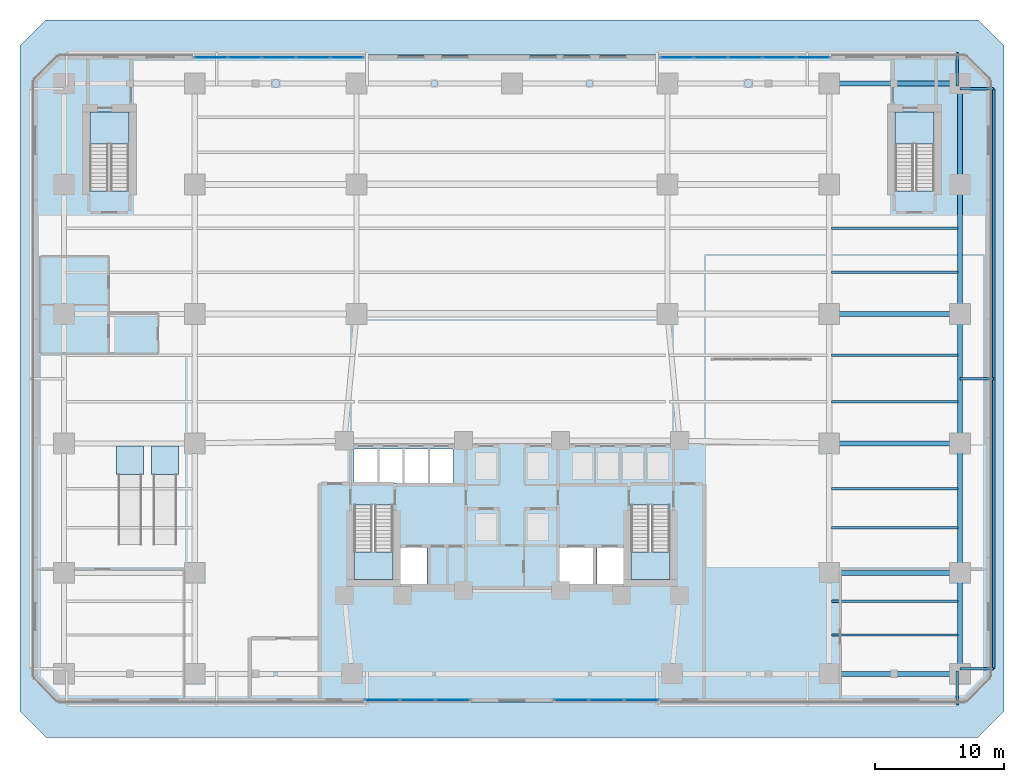
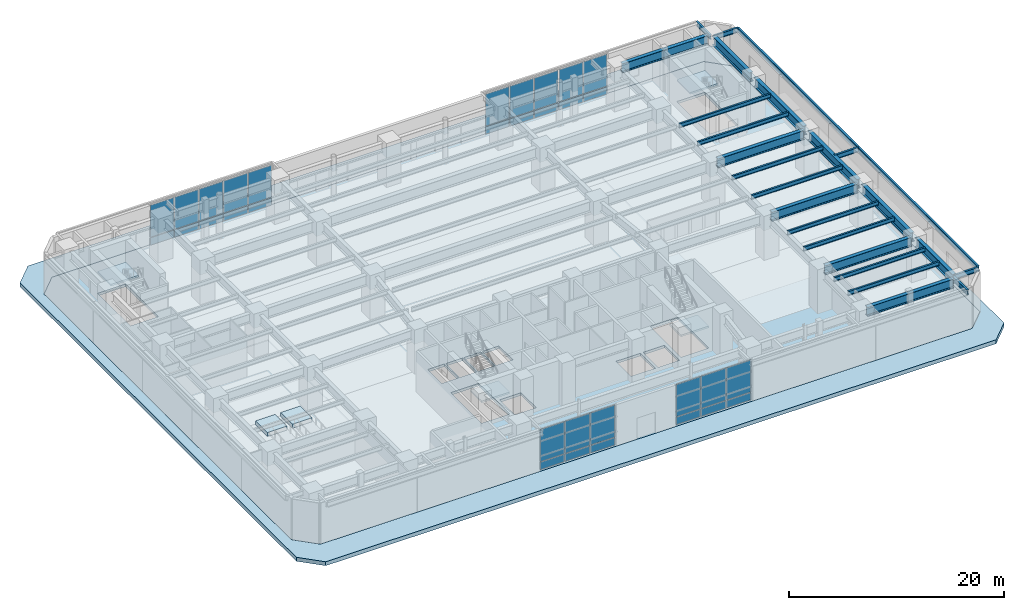
# One storey, part 12 of 26: 32 plates, 24 beams, 8 slabs, 8 elements without a shape of their own.
"""IFC4 building model written with IfcOpenShell, lengths in metres."""

from ifc_helpers import new_model, si_unit, direction, frame, origin, origin_2d, place, context, subcontext, project, spatial, polyline, rectangle, i_section, outline, extrude, material, layer, layer_set, material_profile, profile_set, type_object, element, aggregate, save


model = new_model("IFC4")

# Units and contexts
model_context = context("Model", 3, precision=1e-05, world=origin(), true_north=direction((0.0, 1.0)))
body_context = subcontext(model_context, "Body", "Model", "MODEL_VIEW")
ifc_project = project(units=[si_unit("LENGTHUNIT", "METRE"), si_unit("AREAUNIT", "SQUARE_METRE"), si_unit("VOLUMEUNIT", "CUBIC_METRE"), si_unit("PLANEANGLEUNIT", "RADIAN"), si_unit("MASSUNIT", "GRAM", prefix="KILO")], contexts=[model_context])

# Site, building, storey
site_placement = place(None, origin())
site = spatial("IfcSite", under=ifc_project, at=site_placement, CompositionType="ELEMENT")
building_placement = place(site_placement, origin())
building = spatial("IfcBuilding", under=site, at=building_placement, Name="Quenlor Broadcast Tower", CompositionType="ELEMENT")
storey_placement = place(building_placement, origin())
storey = spatial("IfcBuildingStorey", under=building, at=storey_placement, Name="L00", CompositionType="ELEMENT", Elevation=0.0)

# Beams
ifc_material_1 = material(Name="Steel S355", Category="steel")
ifc_material_profile_1 = material_profile(ifc_material_1, i_section(OverallWidth=0.208984375, OverallDepth=0.532958984375, WebThickness=0.01025390625, FlangeThickness=0.015625, FilletRadius=0.013916015625, at=origin_2d()))
ifc_profile_set_1 = profile_set([ifc_material_profile_1], Name="Steel S355 530UB92.4")
beam_type_1 = type_object("IfcBeamType", Name="Perimeter Spandrel Beam Z1 Steel S355 530UB92.4", PredefinedType="SPANDREL", material=ifc_profile_set_1)
for number, where, z_axis, x_axis, name in (
    (1, (34.39990234375, -22.5849609375, 4.43359375), (0.0, -1.0, 0.0), (1.0, 0.0, 0.0), "L00 Podium Lattice Sill Tie SE1"),
    (2, (34.39990234375, 22.5849609375, 4.43359375), (0.0, 1.0, 0.0), (-1.0, 0.0, 0.0), "L00 Podium Lattice Sill Tie NE2"),
    (3, (34.5849609375, 22.39990234375, 4.43359375), (1.0, 0.0, 0.0), (0.0, 1.0, 0.0), "L00 Podium Lattice Sill Tie E1"),
    (4, (34.5849609375, -22.39990234375, 4.43359375), (1.0, 0.0, 0.0), (0.0, 1.0, 0.0), "L00 Podium Lattice Sill Tie E2"),
    (5, (34.5849609375, 0.0, 4.43359375), (1.0, 0.0, 0.0), (0.0, 1.0, 0.0), "L00 Podium Lattice Sill Tie E3"),
):
    element("IfcBeam", number, at=place(storey_placement, frame(where, z_axis=z_axis, x_axis=x_axis)), inside=storey, type_object=beam_type_1, Name=name, PredefinedType="SPANDREL", context=body_context, shape_type="SweptSolid", body=[
        extrude(i_section(OverallWidth=0.208984375, OverallDepth=0.532958984375, WebThickness=0.01025390625, FlangeThickness=0.015625, FilletRadius=0.013916015625, at=origin_2d()), origin(), (0.0, 0.0, 1.0), 2.610107421875),
    ])
beam_1_placement = place(storey_placement, frame((37.215087890625, 22.3798828125, 4.43359375), z_axis=(0.0, -1.0, 0.0), x_axis=(1.0, 0.0, 0.0)))
element("IfcBeam", 6, at=beam_1_placement, inside=storey, type_object=beam_type_1, Name="L00 Podium Lattice Sill Girder E", PredefinedType="SPANDREL", context=body_context, shape_type="SweptSolid", body=[
    extrude(i_section(OverallWidth=0.208984375, OverallDepth=0.532958984375, WebThickness=0.01025390625, FlangeThickness=0.015625, FilletRadius=0.013916015625, at=origin_2d()), origin(), (0.0, 0.0, 1.0), 44.759765625),
])
ifc_material_2 = material(Name="Steel S355", Category="steel")
ifc_material_profile_2 = material_profile(ifc_material_2, i_section(OverallWidth=0.39990234375, OverallDepth=1.02392578125, WebThickness=0.01611328125, FlangeThickness=0.031982421875, FilletRadius=0.01611328125, at=origin_2d()))
ifc_profile_set_2 = profile_set([ifc_material_profile_2], Name="Steel S355 1000WB322")
beam_type_2 = type_object("IfcBeamType", Name="Podium Concourse Girder Steel S355 1000WB322", PredefinedType="BEAM", material=ifc_profile_set_2)
for number, where, z_axis, x_axis, name in (
    (7, (24.919921875, -22.800048828125, 4.18798828125), (1.0, 0.0, 0.0), (0.0, 1.0, 0.0), "L00 Podium Girder 9"),
    (8, (24.919921875, -15.0, 4.18798828125), (1.0, 0.0, 0.0), (0.0, 1.0, 0.0), "L00 Podium Girder 11"),
    (9, (24.919921875, -5.0, 4.18798828125), (1.0, 0.0, 0.0), (0.0, 1.0, 0.0), "L00 Podium Girder 13"),
    (10, (24.919921875, 5.0, 4.18798828125), (1.0, 0.0, 0.0), (0.0, 1.0, 0.0), "L00 Podium Girder 18"),
    (11, (24.919921875, 22.800048828125, 4.18798828125), (1.0, 0.0, 0.0), (0.0, 1.0, 0.0), "L00 Podium Girder 33"),
):
    element("IfcBeam", number, at=place(storey_placement, frame(where, z_axis=z_axis, x_axis=x_axis)), inside=storey, type_object=beam_type_2, Name=name, PredefinedType="BEAM", context=body_context, shape_type="SweptSolid", body=[
        extrude(i_section(OverallWidth=0.39990234375, OverallDepth=1.02392578125, WebThickness=0.01611328125, FlangeThickness=0.031982421875, FilletRadius=0.01611328125, at=origin_2d()), origin(), (0.0, 0.0, 1.0), 9.260009765625),
    ])
beam_2_placement = place(storey_placement, frame((34.60009765625, -22.3798828125, 4.18798828125), z_axis=(0.0, 1.0, 0.0), x_axis=(-1.0, 0.0, 0.0)))
element("IfcBeam", 12, at=beam_2_placement, inside=storey, type_object=beam_type_2, Name="L00 Podium Girder 49", PredefinedType="BEAM", context=body_context, shape_type="SweptSolid", body=[
    extrude(i_section(OverallWidth=0.39990234375, OverallDepth=1.02392578125, WebThickness=0.01611328125, FlangeThickness=0.031982421875, FilletRadius=0.01611328125, at=origin_2d()), origin(), (0.0, 0.0, 1.0), 6.9599609375),
])
for number, where, z_axis, x_axis, name in (
    (13, (34.60009765625, -14.580078125, 4.18798828125), (0.0, 1.0, 0.0), (-1.0, 0.0, 0.0), "L00 Podium Girder 50"),
    (14, (34.60009765625, -4.580078125, 4.18798828125), (0.0, 1.0, 0.0), (-1.0, 0.0, 0.0), "L00 Podium Girder 51"),
    (15, (34.60009765625, 5.419921875, 4.18798828125), (0.0, 1.0, 0.0), (-1.0, 0.0, 0.0), "L00 Podium Girder 52"),
):
    element("IfcBeam", number, at=place(storey_placement, frame(where, z_axis=z_axis, x_axis=x_axis)), inside=storey, type_object=beam_type_2, Name=name, PredefinedType="BEAM", context=body_context, shape_type="SweptSolid", body=[
        extrude(i_section(OverallWidth=0.39990234375, OverallDepth=1.02392578125, WebThickness=0.01611328125, FlangeThickness=0.031982421875, FilletRadius=0.01611328125, at=origin_2d()), origin(), (0.0, 0.0, 1.0), 9.16015625),
    ])
beam_3_placement = place(storey_placement, frame((34.60009765625, 15.419921875, 4.18798828125), z_axis=(0.0, 1.0, 0.0), x_axis=(-1.0, 0.0, 0.0)))
element("IfcBeam", 16, at=beam_3_placement, inside=storey, type_object=beam_type_2, Name="L00 Podium Girder 53", PredefinedType="BEAM", context=body_context, shape_type="SweptSolid", body=[
    extrude(i_section(OverallWidth=0.39990234375, OverallDepth=1.02392578125, WebThickness=0.01611328125, FlangeThickness=0.031982421875, FilletRadius=0.01611328125, at=origin_2d()), origin(), (0.0, 0.0, 1.0), 6.9599609375),
])
ifc_material_3 = material(Name="Steel S355", Category="steel")
ifc_material_profile_3 = material_profile(ifc_material_3, i_section(OverallWidth=0.18994140625, OverallDepth=0.453857421875, WebThickness=0.008544921875, FlangeThickness=0.0126953125, FilletRadius=0.011474609375, at=origin_2d()))
ifc_profile_set_3 = profile_set([ifc_material_profile_3], Name="Steel S355 460UB67.1")
beam_type_3 = type_object("IfcBeamType", Name="Podium Floor Joist Steel S355 460UB67.1", PredefinedType="JOIST", material=ifc_profile_set_3)
for number, where, z_axis, x_axis, name in (
    (17, (24.659912109375, 8.199951171875, 4.47314453125), (1.0, 0.0, 0.0), (0.0, 1.0, 0.0), "L00 Podium Floor Joist 5"),
    (18, (24.659912109375, 11.60009765625, 4.47314453125), (1.0, 0.0, 0.0), (0.0, 1.0, 0.0), "L00 Podium Floor Joist 10"),
    (19, (24.659912109375, -19.800048828125, 4.47314453125), (1.0, 0.0, 0.0), (0.0, 1.0, 0.0), "L00 Podium Floor Joist 22"),
    (20, (24.659912109375, -17.199951171875, 4.47314453125), (1.0, 0.0, 0.0), (0.0, 1.0, 0.0), "L00 Podium Floor Joist 24"),
    (21, (24.659912109375, -11.5, 4.47314453125), (1.0, 0.0, 0.0), (0.0, 1.0, 0.0), "L00 Podium Floor Joist 26"),
    (22, (24.659912109375, -8.5, 4.47314453125), (1.0, 0.0, 0.0), (0.0, 1.0, 0.0), "L00 Podium Floor Joist 28"),
    (23, (24.659912109375, -1.800048828125, 4.47314453125), (1.0, 0.0, 0.0), (0.0, 1.0, 0.0), "L00 Podium Floor Joist 30"),
    (24, (24.659912109375, 1.800048828125, 4.47314453125), (1.0, 0.0, 0.0), (0.0, 1.0, 0.0), "L00 Podium Floor Joist 32"),
):
    element("IfcBeam", number, at=place(storey_placement, frame(where, z_axis=z_axis, x_axis=x_axis)), inside=storey, type_object=beam_type_3, Name=name, PredefinedType="JOIST", context=body_context, shape_type="SweptSolid", body=[
        extrude(i_section(OverallWidth=0.18994140625, OverallDepth=0.453857421875, WebThickness=0.008544921875, FlangeThickness=0.0126953125, FilletRadius=0.011474609375, at=origin_2d()), origin(), (0.0, 0.0, 1.0), 9.780029296875),
    ])

# Slabs
ifc_material_4 = material(Name="Concrete C50/60", Category="concrete")
ifc_layer_1 = layer(ifc_material_4, 0.449951171875)
ifc_layer_set_1 = layer_set([ifc_layer_1], Name="Basement Concrete C50/60 Base Slab 450")
slab_type_1 = type_object("IfcSlabType", Name="Basement Concrete C50/60 Base Slab 450", PredefinedType="BASESLAB", material=ifc_layer_set_1)
slab_1_placement = place(storey_placement, frame((0.0, 0.0, -0.449951171875)))
element("IfcSlab", 25, at=slab_1_placement, inside=storey, type_object=slab_type_1, Name="L00 Basement Perimeter Plaza Cap Slab 1", PredefinedType="BASESLAB", context=body_context, shape_type="SweptSolid", body=[
    extrude(outline(polyline([(-38.0, -25.699951171875), (-38.0, 25.699951171875), (-36.0, 27.699951171875), (36.0, 27.699951171875), (38.0, 25.699951171875), (38.0, -25.699951171875), (36.0, -27.699951171875), (-36.0, -27.699951171875), (-38.0, -25.699951171875)]), holes=[polyline([(34.99169921875, -24.97998046875), (36.97998046875, -22.99169921875), (36.97998046875, 22.99169921875), (34.99169921875, 24.97998046875), (-34.99169921875, 24.97998046875), (-36.97998046875, 22.99169921875), (-36.97998046875, -22.99169921875), (-34.99169921875, -24.97998046875), (34.99169921875, -24.97998046875)])]), origin(), (0.0, 0.0, 1.0), 0.449951171875),
])
ifc_material_5 = material(Name="Concrete C40/50", Category="concrete")
ifc_layer_2 = layer(ifc_material_5, 0.449951171875)
ifc_layer_set_2 = layer_set([ifc_layer_2], Name="Broadcast Raised Concrete C40/50 Plinth Slab 450")
slab_type_2 = type_object("IfcSlabType", Name="Broadcast Raised Concrete C40/50 Plinth Slab 450", PredefinedType="FLOOR", material=ifc_layer_set_2)
slab_2_placement = place(storey_placement, origin())
element("IfcSlab", 26, at=slab_2_placement, inside=storey, type_object=slab_type_2, Name="L00 Accessible Ramp Arrival Plinth 1", PredefinedType="FLOOR", context=body_context, shape_type="SweptSolid", body=[
    extrude(outline(polyline([(-30.550048828125, -7.39990234375), (-28.449951171875, -7.39990234375), (-28.449951171875, -5.199951171875), (-30.550048828125, -5.199951171875), (-30.550048828125, -7.39990234375)])), origin(), (0.0, 0.0, 1.0), 0.449951171875),
])
slab_3_placement = place(storey_placement, origin())
element("IfcSlab", 27, at=slab_3_placement, inside=storey, type_object=slab_type_2, Name="L00 Accessible Ramp Arrival Plinth 2", PredefinedType="FLOOR", context=body_context, shape_type="SweptSolid", body=[
    extrude(outline(polyline([(-27.85009765625, -7.39990234375), (-25.75, -7.39990234375), (-25.75, -5.199951171875), (-27.85009765625, -5.199951171875), (-27.85009765625, -7.39990234375)])), origin(), (0.0, 0.0, 1.0), 0.449951171875),
])

# Curtain wall, plates
ifc_material_6 = material(Name="Architectural Terracotta and Low-E Glazing", Category="masonry")
curtain_wall_type = type_object("IfcCurtainWallType", Name="Station Concourse and Crown Terracotta Curtain Wall", PredefinedType="NOTDEFINED", material=ifc_material_6)
curtain_wall_1_placement = place(storey_placement, origin())
curtain_wall_1 = element("IfcCurtainWall", 28, at=curtain_wall_1_placement, inside=storey, type_object=curtain_wall_type, Name="L00 Curtain Wall CW6 (L00-S-MID)", PredefinedType="NOTDEFINED")
ifc_material_7 = material(Name="Double Glazed Low-E Solar Glass", Category="glass")
ifc_layer_3 = layer(ifc_material_7, 0.033935546875)
ifc_layer_set_3 = layer_set([ifc_layer_3], Name="CW6 Double Glazed Vision Panel 34")
plate_type = type_object("IfcPlateType", Name="CW6 Double Glazed Vision Panel 34", PredefinedType="CURTAIN_PANEL", material=ifc_layer_set_3)
plate_1_placement = place(storey_placement, frame((10.012939453125, -24.820068359375, 0.08203125), z_axis=(0.0, 0.0, 1.0), x_axis=(-1.0, 0.0, 0.0)))
plate_1 = element("IfcPlate", 29, at=plate_1_placement, type_object=plate_type, Name="CW6 panel 1.1", PredefinedType="CURTAIN_PANEL", context=body_context, shape_type="SweptSolid", body=[
    extrude(rectangle(XDim=2.6103515625, YDim=0.033935546875, at=origin_2d()), origin(), (0.0, 0.0, 1.0), 0.826904296875),
])
plate_2_placement = place(storey_placement, frame((10.012939453125, -24.820068359375, 0.990966796875), z_axis=(0.0, 0.0, 1.0), x_axis=(-1.0, 0.0, 0.0)))
plate_2 = element("IfcPlate", 30, at=plate_2_placement, type_object=plate_type, Name="CW6 panel 1.2", PredefinedType="CURTAIN_PANEL", context=body_context, shape_type="SweptSolid", body=[
    extrude(rectangle(XDim=2.6103515625, YDim=0.033935546875, at=origin_2d()), origin(), (0.0, 0.0, 1.0), 3.626953125),
])
plate_3_placement = place(storey_placement, frame((7.300048828125, -24.820068359375, 0.08203125), z_axis=(0.0, 0.0, 1.0), x_axis=(-1.0, 0.0, 0.0)))
plate_3 = element("IfcPlate", 31, at=plate_3_placement, type_object=plate_type, Name="CW6 panel 2.1", PredefinedType="CURTAIN_PANEL", context=body_context, shape_type="SweptSolid", body=[
    extrude(rectangle(XDim=2.6513671875, YDim=0.033935546875, at=origin_2d()), origin(), (0.0, 0.0, 1.0), 0.826904296875),
])
plate_4_placement = place(storey_placement, frame((7.300048828125, -24.820068359375, 0.990966796875), z_axis=(0.0, 0.0, 1.0), x_axis=(-1.0, 0.0, 0.0)))
plate_4 = element("IfcPlate", 32, at=plate_4_placement, type_object=plate_type, Name="CW6 panel 2.2", PredefinedType="CURTAIN_PANEL", context=body_context, shape_type="SweptSolid", body=[
    extrude(rectangle(XDim=2.6513671875, YDim=0.033935546875, at=origin_2d()), origin(), (0.0, 0.0, 1.0), 3.626953125),
])
plate_5_placement = place(storey_placement, frame((4.587158203125, -24.820068359375, 0.08203125), z_axis=(0.0, 0.0, 1.0), x_axis=(-1.0, 0.0, 0.0)))
plate_5 = element("IfcPlate", 33, at=plate_5_placement, type_object=plate_type, Name="CW6 panel 3.1", PredefinedType="CURTAIN_PANEL", context=body_context, shape_type="SweptSolid", body=[
    extrude(rectangle(XDim=2.6103515625, YDim=0.033935546875, at=origin_2d()), origin(), (0.0, 0.0, 1.0), 0.826904296875),
])
plate_6_placement = place(storey_placement, frame((4.587158203125, -24.820068359375, 0.990966796875), z_axis=(0.0, 0.0, 1.0), x_axis=(-1.0, 0.0, 0.0)))
plate_6 = element("IfcPlate", 34, at=plate_6_placement, type_object=plate_type, Name="CW6 panel 3.2", PredefinedType="CURTAIN_PANEL", context=body_context, shape_type="SweptSolid", body=[
    extrude(rectangle(XDim=2.6103515625, YDim=0.033935546875, at=origin_2d()), origin(), (0.0, 0.0, 1.0), 3.626953125),
])
aggregate(curtain_wall_1, [plate_1, plate_2, plate_3, plate_4, plate_5, plate_6])

curtain_wall_2_placement = place(storey_placement, origin())
curtain_wall_2 = element("IfcCurtainWall", 35, at=curtain_wall_2_placement, inside=storey, type_object=curtain_wall_type, Name="L00 Curtain Wall CW6 (L00-S-MID2)", PredefinedType="NOTDEFINED")
plate_7_placement = place(storey_placement, frame((-4.587158203125, -24.820068359375, 0.08203125), z_axis=(0.0, 0.0, 1.0), x_axis=(-1.0, 0.0, 0.0)))
plate_7 = element("IfcPlate", 36, at=plate_7_placement, type_object=plate_type, Name="CW6 panel 1.1", PredefinedType="CURTAIN_PANEL", context=body_context, shape_type="SweptSolid", body=[
    extrude(rectangle(XDim=2.6103515625, YDim=0.033935546875, at=origin_2d()), origin(), (0.0, 0.0, 1.0), 0.826904296875),
])
plate_8_placement = place(storey_placement, frame((-4.587158203125, -24.820068359375, 0.990966796875), z_axis=(0.0, 0.0, 1.0), x_axis=(-1.0, 0.0, 0.0)))
plate_8 = element("IfcPlate", 37, at=plate_8_placement, type_object=plate_type, Name="CW6 panel 1.2", PredefinedType="CURTAIN_PANEL", context=body_context, shape_type="SweptSolid", body=[
    extrude(rectangle(XDim=2.6103515625, YDim=0.033935546875, at=origin_2d()), origin(), (0.0, 0.0, 1.0), 3.626953125),
])
plate_9_placement = place(storey_placement, frame((-7.300048828125, -24.820068359375, 0.08203125), z_axis=(0.0, 0.0, 1.0), x_axis=(-1.0, 0.0, 0.0)))
plate_9 = element("IfcPlate", 38, at=plate_9_placement, type_object=plate_type, Name="CW6 panel 2.1", PredefinedType="CURTAIN_PANEL", context=body_context, shape_type="SweptSolid", body=[
    extrude(rectangle(XDim=2.6513671875, YDim=0.033935546875, at=origin_2d()), origin(), (0.0, 0.0, 1.0), 0.826904296875),
])
plate_10_placement = place(storey_placement, frame((-7.300048828125, -24.820068359375, 0.990966796875), z_axis=(0.0, 0.0, 1.0), x_axis=(-1.0, 0.0, 0.0)))
plate_10 = element("IfcPlate", 39, at=plate_10_placement, type_object=plate_type, Name="CW6 panel 2.2", PredefinedType="CURTAIN_PANEL", context=body_context, shape_type="SweptSolid", body=[
    extrude(rectangle(XDim=2.6513671875, YDim=0.033935546875, at=origin_2d()), origin(), (0.0, 0.0, 1.0), 3.626953125),
])
plate_11_placement = place(storey_placement, frame((-10.012939453125, -24.820068359375, 0.08203125), z_axis=(0.0, 0.0, 1.0), x_axis=(-1.0, 0.0, 0.0)))
plate_11 = element("IfcPlate", 40, at=plate_11_placement, type_object=plate_type, Name="CW6 panel 3.1", PredefinedType="CURTAIN_PANEL", context=body_context, shape_type="SweptSolid", body=[
    extrude(rectangle(XDim=2.6103515625, YDim=0.033935546875, at=origin_2d()), origin(), (0.0, 0.0, 1.0), 0.826904296875),
])
plate_12_placement = place(storey_placement, frame((-10.012939453125, -24.820068359375, 0.990966796875), z_axis=(0.0, 0.0, 1.0), x_axis=(-1.0, 0.0, 0.0)))
plate_12 = element("IfcPlate", 41, at=plate_12_placement, type_object=plate_type, Name="CW6 panel 3.2", PredefinedType="CURTAIN_PANEL", context=body_context, shape_type="SweptSolid", body=[
    extrude(rectangle(XDim=2.6103515625, YDim=0.033935546875, at=origin_2d()), origin(), (0.0, 0.0, 1.0), 3.626953125),
])
aggregate(curtain_wall_2, [plate_7, plate_8, plate_9, plate_10, plate_11, plate_12])

curtain_wall_3_placement = place(storey_placement, origin())
curtain_wall_3 = element("IfcCurtainWall", 42, at=curtain_wall_3_placement, inside=storey, type_object=curtain_wall_type, Name="L00 Curtain Wall CW6 (L00-N-W)", PredefinedType="NOTDEFINED")
plate_13_placement = place(storey_placement, frame((-23.259521484375, 24.820068359375, 0.08203125), z_axis=(0.0, 0.0, 1.0), x_axis=(1.0, 0.0, 0.0)))
plate_13 = element("IfcPlate", 43, at=plate_13_placement, type_object=plate_type, Name="CW6 panel 1.1", PredefinedType="CURTAIN_PANEL", context=body_context, shape_type="SweptSolid", body=[
    extrude(rectangle(XDim=2.51708984375, YDim=0.033935546875, at=origin_2d()), origin(), (0.0, 0.0, 1.0), 0.826904296875),
])
plate_14_placement = place(storey_placement, frame((-23.259521484375, 24.820068359375, 0.990966796875), z_axis=(0.0, 0.0, 1.0), x_axis=(1.0, 0.0, 0.0)))
plate_14 = element("IfcPlate", 44, at=plate_14_placement, type_object=plate_type, Name="CW6 panel 1.2", PredefinedType="CURTAIN_PANEL", context=body_context, shape_type="SweptSolid", body=[
    extrude(rectangle(XDim=2.51708984375, YDim=0.033935546875, at=origin_2d()), origin(), (0.0, 0.0, 1.0), 3.626953125),
])
plate_15_placement = place(storey_placement, frame((-20.639892578125, 24.820068359375, 0.08203125), z_axis=(0.0, 0.0, 1.0), x_axis=(1.0, 0.0, 0.0)))
plate_15 = element("IfcPlate", 45, at=plate_15_placement, type_object=plate_type, Name="CW6 panel 2.1", PredefinedType="CURTAIN_PANEL", context=body_context, shape_type="SweptSolid", body=[
    extrude(rectangle(XDim=2.55810546875, YDim=0.033935546875, at=origin_2d()), origin(), (0.0, 0.0, 1.0), 0.826904296875),
])
plate_16_placement = place(storey_placement, frame((-20.639892578125, 24.820068359375, 0.990966796875), z_axis=(0.0, 0.0, 1.0), x_axis=(1.0, 0.0, 0.0)))
plate_16 = element("IfcPlate", 46, at=plate_16_placement, type_object=plate_type, Name="CW6 panel 2.2", PredefinedType="CURTAIN_PANEL", context=body_context, shape_type="SweptSolid", body=[
    extrude(rectangle(XDim=2.55810546875, YDim=0.033935546875, at=origin_2d()), origin(), (0.0, 0.0, 1.0), 3.626953125),
])
plate_17_placement = place(storey_placement, frame((-18.0, 24.820068359375, 0.08203125), z_axis=(0.0, 0.0, 1.0), x_axis=(1.0, 0.0, 0.0)))
plate_17 = element("IfcPlate", 47, at=plate_17_placement, type_object=plate_type, Name="CW6 panel 3.1", PredefinedType="CURTAIN_PANEL", context=body_context, shape_type="SweptSolid", body=[
    extrude(rectangle(XDim=2.55810546875, YDim=0.033935546875, at=origin_2d()), origin(), (0.0, 0.0, 1.0), 0.826904296875),
])
plate_18_placement = place(storey_placement, frame((-18.0, 24.820068359375, 0.990966796875), z_axis=(0.0, 0.0, 1.0), x_axis=(1.0, 0.0, 0.0)))
plate_18 = element("IfcPlate", 48, at=plate_18_placement, type_object=plate_type, Name="CW6 panel 3.2", PredefinedType="CURTAIN_PANEL", context=body_context, shape_type="SweptSolid", body=[
    extrude(rectangle(XDim=2.55810546875, YDim=0.033935546875, at=origin_2d()), origin(), (0.0, 0.0, 1.0), 3.626953125),
])
plate_19_placement = place(storey_placement, frame((-15.360107421875, 24.820068359375, 0.08203125), z_axis=(0.0, 0.0, 1.0), x_axis=(1.0, 0.0, 0.0)))
plate_19 = element("IfcPlate", 49, at=plate_19_placement, type_object=plate_type, Name="CW6 panel 4.1", PredefinedType="CURTAIN_PANEL", context=body_context, shape_type="SweptSolid", body=[
    extrude(rectangle(XDim=2.55810546875, YDim=0.033935546875, at=origin_2d()), origin(), (0.0, 0.0, 1.0), 0.826904296875),
])
plate_20_placement = place(storey_placement, frame((-15.360107421875, 24.820068359375, 0.990966796875), z_axis=(0.0, 0.0, 1.0), x_axis=(1.0, 0.0, 0.0)))
plate_20 = element("IfcPlate", 50, at=plate_20_placement, type_object=plate_type, Name="CW6 panel 4.2", PredefinedType="CURTAIN_PANEL", context=body_context, shape_type="SweptSolid", body=[
    extrude(rectangle(XDim=2.55810546875, YDim=0.033935546875, at=origin_2d()), origin(), (0.0, 0.0, 1.0), 3.626953125),
])
plate_21_placement = place(storey_placement, frame((-12.740478515625, 24.820068359375, 0.08203125), z_axis=(0.0, 0.0, 1.0), x_axis=(1.0, 0.0, 0.0)))
plate_21 = element("IfcPlate", 51, at=plate_21_placement, type_object=plate_type, Name="CW6 panel 5.1", PredefinedType="CURTAIN_PANEL", context=body_context, shape_type="SweptSolid", body=[
    extrude(rectangle(XDim=2.51708984375, YDim=0.033935546875, at=origin_2d()), origin(), (0.0, 0.0, 1.0), 0.826904296875),
])
plate_22_placement = place(storey_placement, frame((-12.740478515625, 24.820068359375, 0.990966796875), z_axis=(0.0, 0.0, 1.0), x_axis=(1.0, 0.0, 0.0)))
plate_22 = element("IfcPlate", 52, at=plate_22_placement, type_object=plate_type, Name="CW6 panel 5.2", PredefinedType="CURTAIN_PANEL", context=body_context, shape_type="SweptSolid", body=[
    extrude(rectangle(XDim=2.51708984375, YDim=0.033935546875, at=origin_2d()), origin(), (0.0, 0.0, 1.0), 3.626953125),
])
aggregate(curtain_wall_3, [plate_13, plate_14, plate_15, plate_16, plate_17, plate_18, plate_19, plate_20, plate_21, plate_22])

curtain_wall_4_placement = place(storey_placement, origin())
curtain_wall_4 = element("IfcCurtainWall", 53, at=curtain_wall_4_placement, inside=storey, type_object=curtain_wall_type, Name="L00 Curtain Wall CW6 (L00-N-E)", PredefinedType="NOTDEFINED")
plate_23_placement = place(storey_placement, frame((12.740478515625, 24.820068359375, 0.08203125), z_axis=(0.0, 0.0, 1.0), x_axis=(1.0, 0.0, 0.0)))
plate_23 = element("IfcPlate", 54, at=plate_23_placement, type_object=plate_type, Name="CW6 panel 1.1", PredefinedType="CURTAIN_PANEL", context=body_context, shape_type="SweptSolid", body=[
    extrude(rectangle(XDim=2.51708984375, YDim=0.033935546875, at=origin_2d()), origin(), (0.0, 0.0, 1.0), 0.826904296875),
])
plate_24_placement = place(storey_placement, frame((12.740478515625, 24.820068359375, 0.990966796875), z_axis=(0.0, 0.0, 1.0), x_axis=(1.0, 0.0, 0.0)))
plate_24 = element("IfcPlate", 55, at=plate_24_placement, type_object=plate_type, Name="CW6 panel 1.2", PredefinedType="CURTAIN_PANEL", context=body_context, shape_type="SweptSolid", body=[
    extrude(rectangle(XDim=2.51708984375, YDim=0.033935546875, at=origin_2d()), origin(), (0.0, 0.0, 1.0), 3.626953125),
])
plate_25_placement = place(storey_placement, frame((15.360107421875, 24.820068359375, 0.08203125), z_axis=(0.0, 0.0, 1.0), x_axis=(1.0, 0.0, 0.0)))
plate_25 = element("IfcPlate", 56, at=plate_25_placement, type_object=plate_type, Name="CW6 panel 2.1", PredefinedType="CURTAIN_PANEL", context=body_context, shape_type="SweptSolid", body=[
    extrude(rectangle(XDim=2.55810546875, YDim=0.033935546875, at=origin_2d()), origin(), (0.0, 0.0, 1.0), 0.826904296875),
])
plate_26_placement = place(storey_placement, frame((15.360107421875, 24.820068359375, 0.990966796875), z_axis=(0.0, 0.0, 1.0), x_axis=(1.0, 0.0, 0.0)))
plate_26 = element("IfcPlate", 57, at=plate_26_placement, type_object=plate_type, Name="CW6 panel 2.2", PredefinedType="CURTAIN_PANEL", context=body_context, shape_type="SweptSolid", body=[
    extrude(rectangle(XDim=2.55810546875, YDim=0.033935546875, at=origin_2d()), origin(), (0.0, 0.0, 1.0), 3.626953125),
])
plate_27_placement = place(storey_placement, frame((18.0, 24.820068359375, 0.08203125), z_axis=(0.0, 0.0, 1.0), x_axis=(1.0, 0.0, 0.0)))
plate_27 = element("IfcPlate", 58, at=plate_27_placement, type_object=plate_type, Name="CW6 panel 3.1", PredefinedType="CURTAIN_PANEL", context=body_context, shape_type="SweptSolid", body=[
    extrude(rectangle(XDim=2.55810546875, YDim=0.033935546875, at=origin_2d()), origin(), (0.0, 0.0, 1.0), 0.826904296875),
])
plate_28_placement = place(storey_placement, frame((18.0, 24.820068359375, 0.990966796875), z_axis=(0.0, 0.0, 1.0), x_axis=(1.0, 0.0, 0.0)))
plate_28 = element("IfcPlate", 59, at=plate_28_placement, type_object=plate_type, Name="CW6 panel 3.2", PredefinedType="CURTAIN_PANEL", context=body_context, shape_type="SweptSolid", body=[
    extrude(rectangle(XDim=2.55810546875, YDim=0.033935546875, at=origin_2d()), origin(), (0.0, 0.0, 1.0), 3.626953125),
])
plate_29_placement = place(storey_placement, frame((20.639892578125, 24.820068359375, 0.08203125), z_axis=(0.0, 0.0, 1.0), x_axis=(1.0, 0.0, 0.0)))
plate_29 = element("IfcPlate", 60, at=plate_29_placement, type_object=plate_type, Name="CW6 panel 4.1", PredefinedType="CURTAIN_PANEL", context=body_context, shape_type="SweptSolid", body=[
    extrude(rectangle(XDim=2.55810546875, YDim=0.033935546875, at=origin_2d()), origin(), (0.0, 0.0, 1.0), 0.826904296875),
])
plate_30_placement = place(storey_placement, frame((20.639892578125, 24.820068359375, 0.990966796875), z_axis=(0.0, 0.0, 1.0), x_axis=(1.0, 0.0, 0.0)))
plate_30 = element("IfcPlate", 61, at=plate_30_placement, type_object=plate_type, Name="CW6 panel 4.2", PredefinedType="CURTAIN_PANEL", context=body_context, shape_type="SweptSolid", body=[
    extrude(rectangle(XDim=2.55810546875, YDim=0.033935546875, at=origin_2d()), origin(), (0.0, 0.0, 1.0), 3.626953125),
])
plate_31_placement = place(storey_placement, frame((23.259521484375, 24.820068359375, 0.08203125), z_axis=(0.0, 0.0, 1.0), x_axis=(1.0, 0.0, 0.0)))
plate_31 = element("IfcPlate", 62, at=plate_31_placement, type_object=plate_type, Name="CW6 panel 5.1", PredefinedType="CURTAIN_PANEL", context=body_context, shape_type="SweptSolid", body=[
    extrude(rectangle(XDim=2.51708984375, YDim=0.033935546875, at=origin_2d()), origin(), (0.0, 0.0, 1.0), 0.826904296875),
])
plate_32_placement = place(storey_placement, frame((23.259521484375, 24.820068359375, 0.990966796875), z_axis=(0.0, 0.0, 1.0), x_axis=(1.0, 0.0, 0.0)))
plate_32 = element("IfcPlate", 63, at=plate_32_placement, type_object=plate_type, Name="CW6 panel 5.2", PredefinedType="CURTAIN_PANEL", context=body_context, shape_type="SweptSolid", body=[
    extrude(rectangle(XDim=2.51708984375, YDim=0.033935546875, at=origin_2d()), origin(), (0.0, 0.0, 1.0), 3.626953125),
])
aggregate(curtain_wall_4, [plate_23, plate_24, plate_25, plate_26, plate_27, plate_28, plate_29, plate_30, plate_31, plate_32])

# Stair, slab
ifc_material_8 = material(Name="Precast concrete C40/50", Category="concrete")
stair_type = type_object("IfcStairType", Name="Precast Concrete C40/50 Dogleg Stair H500", PredefinedType="HALF_TURN_STAIR", material=ifc_material_8)
stair_1_placement = place(storey_placement, origin())
stair_1 = element("IfcStair", 64, at=stair_1_placement, inside=storey, type_object=stair_type, Name="L00 West Core Fire-Isolated Exit Stair ST-1", PredefinedType="HALF_TURN_STAIR")
ifc_material_9 = material(Name="Precast concrete C40/50", Category="concrete")
ifc_layer_4 = layer(ifc_material_9, 0.199951171875)
ifc_layer_set_4 = layer_set([ifc_layer_4], Name="Precast Concrete C40/50 Stair Landing Slab 200")
slab_type_3 = type_object("IfcSlabType", Name="Precast Concrete C40/50 Stair Landing Slab 200", PredefinedType="LANDING", material=ifc_layer_set_4)
slab_4_placement = place(storey_placement, frame((0.0, 0.0, 2.300048828125)))
slab_4 = element("IfcSlab", 65, at=slab_4_placement, type_object=slab_type_3, Name="ST-1 landing 1", PredefinedType="LANDING", context=body_context, shape_type="SweptSolid", body=[
    extrude(outline(polyline([(-12.199951171875, -13.389892578125), (-12.199951171875, -15.5), (-9.199951171875, -15.5), (-9.199951171875, -13.389892578125), (-12.199951171875, -13.389892578125)])), origin(), (0.0, 0.0, 1.0), 0.199951171875),
])
aggregate(stair_1, [slab_4])

stair_2_placement = place(storey_placement, origin())
stair_2 = element("IfcStair", 66, at=stair_2_placement, inside=storey, type_object=stair_type, Name="L00 East Core Fire-Isolated Exit Stair ST-2", PredefinedType="HALF_TURN_STAIR")
slab_5_placement = place(storey_placement, frame((0.0, 0.0, 2.300048828125)))
slab_5 = element("IfcSlab", 67, at=slab_5_placement, type_object=slab_type_3, Name="ST-2 landing 1", PredefinedType="LANDING", context=body_context, shape_type="SweptSolid", body=[
    extrude(outline(polyline([(9.199951171875, -13.389892578125), (9.199951171875, -15.5), (12.199951171875, -15.5), (12.199951171875, -13.389892578125), (9.199951171875, -13.389892578125)])), origin(), (0.0, 0.0, 1.0), 0.199951171875),
])
aggregate(stair_2, [slab_5])

stair_3_placement = place(storey_placement, origin())
stair_3 = element("IfcStair", 68, at=stair_3_placement, inside=storey, type_object=stair_type, Name="L00 Station Podium North-West Exit Stair ST-3", PredefinedType="HALF_TURN_STAIR")
slab_6_placement = place(storey_placement, frame((0.0, 0.0, 2.300048828125)))
slab_6 = element("IfcSlab", 69, at=slab_6_placement, type_object=slab_type_3, Name="ST-3 landing 1", PredefinedType="LANDING", context=body_context, shape_type="SweptSolid", body=[
    extrude(outline(polyline([(-29.60009765625, 18.139892578125), (-29.60009765625, 20.60009765625), (-32.60009765625, 20.60009765625), (-32.60009765625, 18.139892578125), (-29.60009765625, 18.139892578125)])), origin(), (0.0, 0.0, 1.0), 0.199951171875),
])
aggregate(stair_3, [slab_6])

stair_4_placement = place(storey_placement, origin())
stair_4 = element("IfcStair", 70, at=stair_4_placement, inside=storey, type_object=stair_type, Name="L00 Station Podium North-East Exit Stair ST-4", PredefinedType="HALF_TURN_STAIR")
slab_7_placement = place(storey_placement, frame((0.0, 0.0, 2.300048828125)))
slab_7 = element("IfcSlab", 71, at=slab_7_placement, type_object=slab_type_3, Name="ST-4 landing 1", PredefinedType="LANDING", context=body_context, shape_type="SweptSolid", body=[
    extrude(outline(polyline([(32.60009765625, 18.139892578125), (32.60009765625, 20.60009765625), (29.60009765625, 20.60009765625), (29.60009765625, 18.139892578125), (32.60009765625, 18.139892578125)])), origin(), (0.0, 0.0, 1.0), 0.199951171875),
])
aggregate(stair_4, [slab_7])

# Slab
ifc_material_10 = material(Name="Concrete C50/60", Category="concrete")
ifc_layer_5 = layer(ifc_material_10, 0.300048828125)
ifc_layer_set_5 = layer_set([ifc_layer_5], Name="Station Podium Concrete C50/60 Slab 300")
slab_type_4 = type_object("IfcSlabType", Name="Station Podium Concrete C50/60 Slab 300", PredefinedType="FLOOR", material=ifc_layer_set_5)
slab_8_placement = place(storey_placement, frame((0.0, 0.0, -0.300048828125)))
element("IfcSlab", 72, at=slab_8_placement, inside=storey, type_object=slab_type_4, Name="L00 Structural Floor Slab", PredefinedType="FLOOR", context=body_context, shape_type="SweptSolid", body=[
    extrude(outline(polyline([(-35.0, -25.0), (35.0, -25.0), (37.0, -23.0), (37.0, 23.0), (35.0, 25.0), (-35.0, 25.0), (-37.0, 23.0), (-37.0, -23.0), (-35.0, -25.0)]), holes=[polyline([(-12.199951171875, -9.758056640625), (-12.199951171875, -15.5), (-9.199951171875, -15.5), (-9.199951171875, -9.758056640625), (-12.199951171875, -9.758056640625)]), polyline([(9.199951171875, -9.758056640625), (9.199951171875, -15.5), (12.199951171875, -15.5), (12.199951171875, -9.758056640625), (9.199951171875, -9.758056640625)]), polyline([(-29.60009765625, 14.508056640625), (-29.60009765625, 20.60009765625), (-32.60009765625, 20.60009765625), (-32.60009765625, 14.508056640625), (-29.60009765625, 14.508056640625)]), polyline([(32.60009765625, 14.508056640625), (32.60009765625, 20.60009765625), (29.60009765625, 20.60009765625), (29.60009765625, 14.508056640625), (32.60009765625, 14.508056640625)]), polyline([(-12.199951171875, -8.050048828125), (-10.39990234375, -8.050048828125), (-10.39990234375, -5.449951171875), (-12.199951171875, -5.449951171875), (-12.199951171875, -8.050048828125)]), polyline([(-10.25, -8.050048828125), (-8.449951171875, -8.050048828125), (-8.449951171875, -5.449951171875), (-10.25, -5.449951171875), (-10.25, -8.050048828125)]), polyline([(-8.300048828125, -8.050048828125), (-6.5, -8.050048828125), (-6.5, -5.449951171875), (-8.300048828125, -5.449951171875), (-8.300048828125, -8.050048828125)]), polyline([(-6.35009765625, -8.050048828125), (-4.550048828125, -8.050048828125), (-4.550048828125, -5.449951171875), (-6.35009765625, -5.449951171875), (-6.35009765625, -8.050048828125)]), polyline([(-8.85009765625, -15.85009765625), (-6.550048828125, -15.85009765625), (-6.550048828125, -13.050048828125), (-8.85009765625, -13.050048828125), (-8.85009765625, -15.85009765625)]), polyline([(6.550048828125, -15.85009765625), (8.85009765625, -15.85009765625), (8.85009765625, -13.050048828125), (6.550048828125, -13.050048828125), (6.550048828125, -15.85009765625)]), polyline([(3.64990234375, -15.85009765625), (6.25, -15.85009765625), (6.25, -13.050048828125), (3.64990234375, -13.050048828125), (3.64990234375, -15.85009765625)])]), origin(), (0.0, 0.0, 1.0), 0.300048828125),
])

save(model, "model.ifc")
